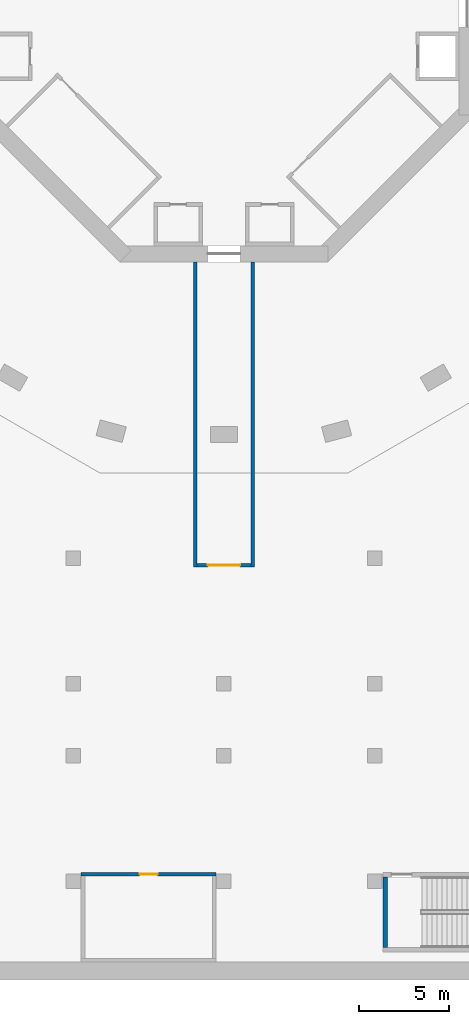
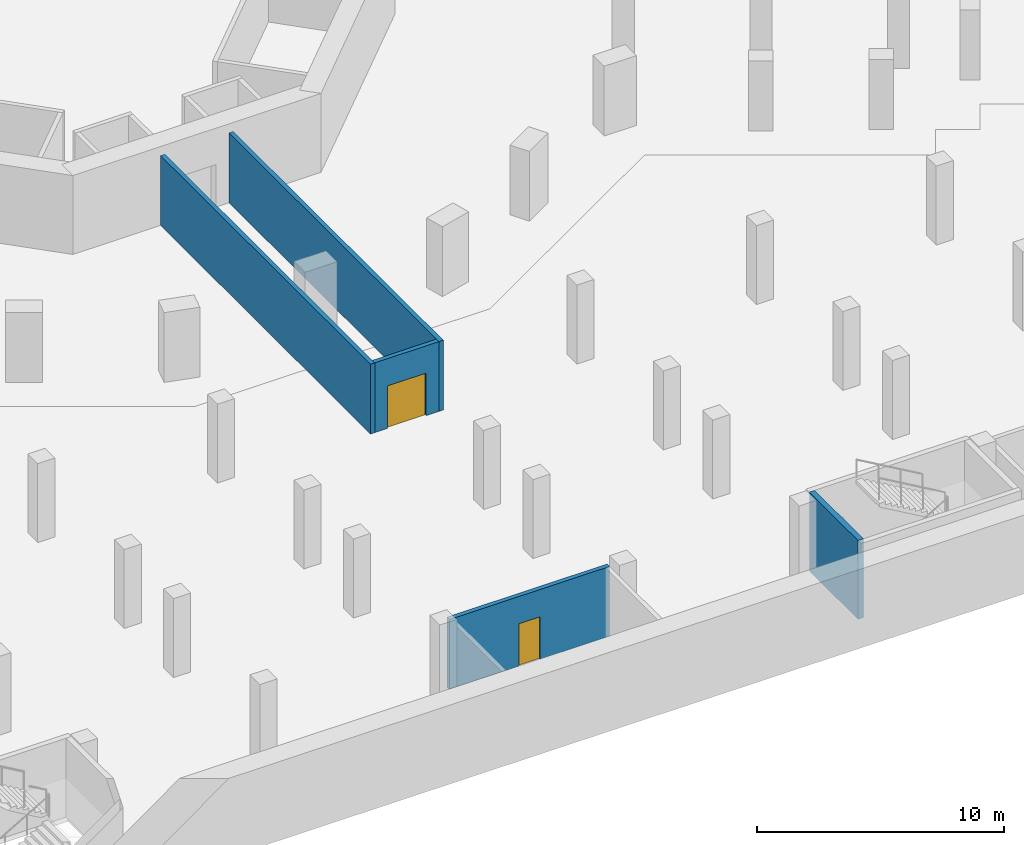
# One storey, part 5 of 25: 5 walls, 2 doors, 2 openings.
"""IFC4 building model written with IfcOpenShell, lengths in metres."""

from ifc_helpers import new_model, si_unit, direction, frame, frame_2d, origin, place, context, subcontext, project, spatial, rectangle, extrude, material, layer, layer_set, type_object, element, fill, save


model = new_model("IFC4")

# Units and contexts
model_context = context("Model", 3, precision=1e-05, world=origin(), true_north=direction((0.0, 1.0)))
body_context = subcontext(model_context, "Body", "Model", "MODEL_VIEW")
ifc_project = project(units=[si_unit("LENGTHUNIT", "METRE"), si_unit("AREAUNIT", "SQUARE_METRE"), si_unit("VOLUMEUNIT", "CUBIC_METRE"), si_unit("PLANEANGLEUNIT", "RADIAN"), si_unit("MASSUNIT", "GRAM", prefix="KILO")], contexts=[model_context])

# Site, building, storey
site_placement = place(None, origin())
site = spatial("IfcSite", under=ifc_project, at=site_placement, CompositionType="ELEMENT")
building_placement = place(site_placement, origin())
building = spatial("IfcBuilding", under=site, at=building_placement, Name="Verdalira Terraces Hotel", CompositionType="ELEMENT")
storey_placement = place(building_placement, frame((0.0, 0.0, -7.800049)))
storey = spatial("IfcBuildingStorey", under=building, at=storey_placement, Name="B2", CompositionType="ELEMENT", Elevation=-7.800048828125)

# Walls
ifc_material_1 = material(Name="Concrete C40", Category="concrete")
ifc_layer_1 = layer(ifc_material_1, 0.199951171875)
ifc_layer_set_1 = layer_set([ifc_layer_1], Name="Lift lobby wall 200 C40")
wall_type_1 = type_object("IfcWallType", Name="Lift lobby wall 200 C40", PredefinedType="PARTITIONING", material=ifc_layer_set_1)
for number, where, z_axis, x_axis, name in (
    (1, (-1.600098, -31.0, 0.0), (0.0, 0.0, 1.0), (0.0, 1.0, 0.0), "Lift lobby wall"),
    (2, (1.600098, -31.0, 0.0), (0.0, 0.0, 1.0), (0.0, 1.0, 0.0), "Lift lobby wall"),
):
    element("IfcWall", number, at=place(storey_placement, frame(where, z_axis=z_axis, x_axis=x_axis)), inside=storey, type_object=wall_type_1, Name=name, PredefinedType="PARTITIONING", context=body_context, shape_type="SweptSolid", body=[
        extrude(rectangle(XDim=17.0, YDim=0.199951, at=frame_2d((8.5, 0.0))), origin(), (0.0, 0.0, 1.0), 3.449951),
    ])

# Wall, opening, door
wall_1_placement = place(storey_placement, frame((-1.5, -30.899902, 0.0), z_axis=(0.0, 0.0, 1.0), x_axis=(1.0, 0.0, 0.0)))
wall_1 = element("IfcWall", 3, at=wall_1_placement, inside=storey, type_object=wall_type_1, Name="Lift lobby wall", PredefinedType="PARTITIONING", context=body_context, shape_type="SweptSolid", body=[
    extrude(rectangle(XDim=3.0, YDim=0.199951, at=frame_2d((1.5, 0.0))), origin(), (0.0, 0.0, 1.0), 3.449951),
])
opening_1_placement = place(wall_1_placement, frame((0.600098, 0.0, 0.0)))
opening_1 = element("IfcOpeningElement", 4, at=opening_1_placement, cuts=wall_1, Name="Opening B2-D613", PredefinedType="OPENING", context=body_context, shape_type="SweptSolid", body=[
    extrude(rectangle(XDim=1.800049, YDim=2.100098, at=frame_2d((0.899902, 1.050049))), frame((0.0, 0.109863, 0.0), z_axis=(0.0, -1.0, 0.0), x_axis=(1.0, 0.0, 0.0)), (0.0, 0.0, 1.0), 0.219971),
])
ifc_material_2 = material(Name="Steel fire door", Category="steel")
door_type_1 = type_object("IfcDoorType", Name="Lift lobby door 1800 x 2100", OperationType="DOUBLE_DOOR_SINGLE_SWING", PredefinedType="DOOR", material=ifc_material_2)
door_1_placement = place(opening_1_placement, origin())
door_1 = element("IfcDoor", 5, at=door_1_placement, inside=storey, type_object=door_type_1, Name="Lift lobby door", OperationType="DOUBLE_DOOR_SINGLE_SWING", OverallHeight=2.10009765625, OverallWidth=1.800048828125, PredefinedType="DOOR", context=body_context, shape_type="SweptSolid", body=[
    extrude(rectangle(XDim=1.800049, YDim=2.100098, at=frame_2d((0.899902, 1.050049))), frame((0.0, 0.024902, 0.0), z_axis=(0.0, -1.0, 0.0), x_axis=(1.0, 0.0, 0.0)), (0.0, 0.0, 1.0), 0.050049),
])
fill(opening_1, door_1)

ifc_material_3 = material(Name="Concrete C40", Category="concrete")
ifc_layer_2 = layer(ifc_material_3, 0.199951171875)
ifc_layer_set_2 = layer_set([ifc_layer_2], Name="Service room wall 200 C40")
wall_type_2 = type_object("IfcWallType", Name="Service room wall 200 C40", PredefinedType="PARTITIONING", material=ifc_layer_set_2)
wall_2_placement = place(storey_placement, frame((-7.949951, -48.100098, 0.0), z_axis=(0.0, 0.0, 1.0), x_axis=(1.0, 0.0, 0.0)))
wall_2 = element("IfcWall", 6, at=wall_2_placement, inside=storey, type_object=wall_type_2, Name="Smoke extract fan room wall", PredefinedType="PARTITIONING", context=body_context, shape_type="SweptSolid", body=[
    extrude(rectangle(XDim=7.5, YDim=0.199951, at=frame_2d((3.75, 0.0))), origin(), (0.0, 0.0, 1.0), 3.449951),
])
opening_2_placement = place(wall_2_placement, frame((3.25, 0.0, 0.0)))
opening_2 = element("IfcOpeningElement", 7, at=opening_2_placement, cuts=wall_2, Name="Opening B2-D608", PredefinedType="OPENING", context=body_context, shape_type="SweptSolid", body=[
    extrude(rectangle(XDim=1.0, YDim=2.100098, at=frame_2d((0.5, 1.050049))), frame((0.0, 0.109863, 0.0), z_axis=(0.0, -1.0, 0.0), x_axis=(1.0, 0.0, 0.0)), (0.0, 0.0, 1.0), 0.219971),
])
ifc_material_4 = material(Name="Steel fire door", Category="steel")
door_type_2 = type_object("IfcDoorType", Name="Service room door 1000 x 2100", OperationType="SINGLE_SWING_LEFT", PredefinedType="DOOR", material=ifc_material_4)
door_2_placement = place(opening_2_placement, origin())
door_2 = element("IfcDoor", 8, at=door_2_placement, inside=storey, type_object=door_type_2, Name="Smoke extract fan room door", OperationType="SINGLE_SWING_RIGHT", OverallHeight=2.10009765625, OverallWidth=1.0, PredefinedType="DOOR", context=body_context, shape_type="SweptSolid", body=[
    extrude(rectangle(XDim=1.0, YDim=2.100098, at=frame_2d((0.5, 1.050049))), frame((0.0, 0.024902, 0.0), z_axis=(0.0, -1.0, 0.0), x_axis=(1.0, 0.0, 0.0)), (0.0, 0.0, 1.0), 0.050049),
])
fill(opening_2, door_2)

# Wall
ifc_material_5 = material(Name="Concrete C40", Category="concrete")
ifc_layer_3 = layer(ifc_material_5, 0.25)
ifc_layer_set_3 = layer_set([ifc_layer_3], Name="Stair enclosure wall 250 C40")
wall_type_3 = type_object("IfcWallType", Name="Stair enclosure wall 250 C40", PredefinedType="SOLIDWALL", material=ifc_layer_set_3)
wall_3_placement = place(storey_placement, frame((8.975098, -52.199951, 0.0), z_axis=(0.0, 0.0, 1.0), x_axis=(0.0, 1.0, 0.0)))
element("IfcWall", 9, at=wall_3_placement, inside=storey, type_object=wall_type_3, Name="Stair BS6 enclosure wall", PredefinedType="SOLIDWALL", context=body_context, shape_type="SweptSolid", body=[
    extrude(rectangle(XDim=3.949951, YDim=0.25, at=frame_2d((1.975098, 0.0))), origin(), (0.0, 0.0, 1.0), 3.900146),
])

save(model, "model.ifc")
